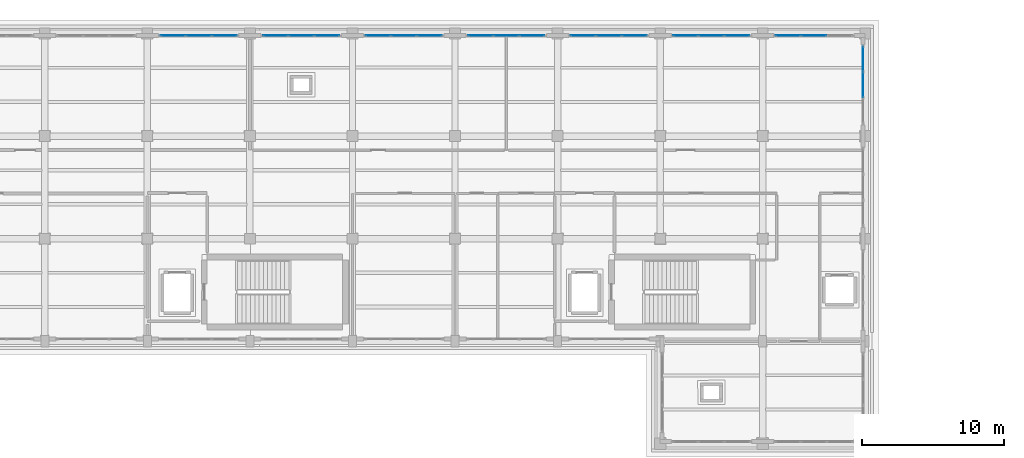
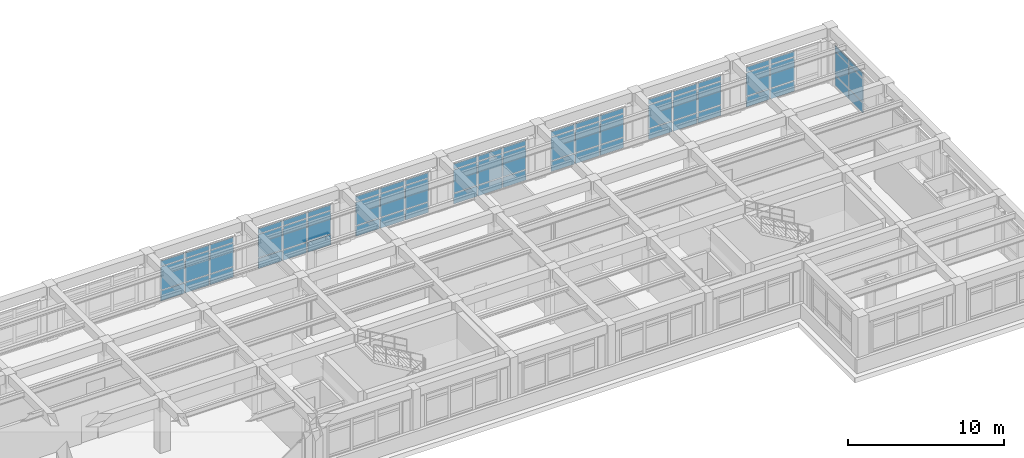
# One storey, part 45 of 67: 66 plates, 8 elements without a shape of their own.
"""IFC4 building model written with IfcOpenShell, lengths in metres."""

import ifcopenshell
import ifcopenshell.guid

model = None  # the IFC model being written
_history = None  # IfcOwnerHistory: only IFC2X3 demands one
_inside = {}  # id of a spatial element -> (the spatial element, [elements in it])
_under = {}  # id of a project, library or spatial element -> (it, [spatial elements below it])
_declared = {}  # id of a project -> (the project, [libraries it declares])
_typed = {}  # id of a type object -> (the type object, [elements of that type])
_made_of = {}  # id of a material, layer set ... -> (it, [elements and type objects made of it])


def new_model(schema):
    """Start an empty IFC model of exactly this schema.

    Asked for "IFC4X3", IfcOpenShell would pick the latest addendum, in which some entities
    have other attributes; the version numbers below select the first issue.
    IFC2X3 requires an IfcOwnerHistory on every rooted entity: one is made here for all.
    """
    global model, _history
    if schema == "IFC4X3":
        model = ifcopenshell.file(schema_version=(4, 3, 0, 0))
    else:
        model = ifcopenshell.file(schema=schema)
    _inside.clear()
    _under.clear()
    _declared.clear()
    _typed.clear()
    _made_of.clear()
    _history = None
    if model.schema == "IFC2X3":
        org = make("IfcOrganization", Name="unknown")
        user = make(
            "IfcPersonAndOrganization",
            ThePerson=make("IfcPerson", FamilyName="unknown"),
            TheOrganization=org,
        )
        app = make(
            "IfcApplication",
            ApplicationDeveloper=org,
            Version="unknown",
            ApplicationFullName="unknown",
            ApplicationIdentifier="unknown",
        )
        _history = make(
            "IfcOwnerHistory",
            OwningUser=user,
            OwningApplication=app,
            ChangeAction="ADDED",
            CreationDate=0,
        )
    return model


def make(cls, **values):
    """One entity of the class cls with the attributes given. An attribute that is None is left unset."""
    return model.create_entity(
        cls, **{name: value for name, value in values.items() if value is not None}
    )


def rooted(cls, **values):
    """An entity with a GlobalId (a new one), such as an element, a storey or a relation."""
    return make(cls, GlobalId=ifcopenshell.guid.new(), OwnerHistory=_history, **values)


def si_unit(unit_type, name, prefix=None):
    """IfcSIUnit, for example si_unit("LENGTHUNIT", "METRE", prefix="MILLI")."""
    return make("IfcSIUnit", UnitType=unit_type, Prefix=prefix, Name=name)


def assignment(units):
    """IfcUnitAssignment: the units of a project."""
    return None if units is None else make("IfcUnitAssignment", Units=units)


def point(xyz):
    """IfcCartesianPoint."""
    return None if xyz is None else make("IfcCartesianPoint", Coordinates=xyz)


def direction(xyz):
    """IfcDirection."""
    return None if xyz is None else make("IfcDirection", DirectionRatios=xyz)


def frame(location, z_axis=None, x_axis=None):
    """IfcAxis2Placement3D, a coordinate frame: its origin and axes. An axis left out is left unset."""
    return make(
        "IfcAxis2Placement3D",
        Location=point(location),
        Axis=direction(z_axis),
        RefDirection=direction(x_axis),
    )


def frame_2d(location, x_axis=None):
    """IfcAxis2Placement2D, a coordinate frame in the plane: its origin and x axis."""
    return make(
        "IfcAxis2Placement2D", Location=point(location), RefDirection=direction(x_axis)
    )


def origin():
    """The frame at (0, 0, 0) with its axes left unset."""
    return frame((0.0, 0.0, 0.0))


def origin_2d():
    """The frame at (0, 0) in the plane with its x axis left unset."""
    return frame_2d((0.0, 0.0))


def place(relative_to, where):
    """IfcLocalPlacement: puts the frame where relative to a parent placement (None: the world)."""
    return make(
        "IfcLocalPlacement", PlacementRelTo=relative_to, RelativePlacement=where
    )


def context(
    kind, dimensions, precision=None, world=None, true_north=None, identifier=None
):
    """IfcGeometricRepresentationContext, for example the 3D "Model" context."""
    return make(
        "IfcGeometricRepresentationContext",
        ContextIdentifier=identifier,
        ContextType=kind,
        CoordinateSpaceDimension=dimensions,
        Precision=precision,
        WorldCoordinateSystem=world,
        TrueNorth=true_north,
    )


def subcontext(parent, identifier, kind, view, scale=None):
    """IfcGeometricRepresentationSubContext, for example "Body" below "Model"."""
    return make(
        "IfcGeometricRepresentationSubContext",
        ContextIdentifier=identifier,
        ContextType=kind,
        ParentContext=parent,
        TargetScale=scale,
        TargetView=view,
    )


def project(units=None, contexts=None):
    """IfcProject with its units and contexts."""
    return rooted(
        "IfcProject",
        Name="project",
        RepresentationContexts=contexts,
        UnitsInContext=assignment(units),
    )


def spatial(cls, under=None, at=None, **own):
    """A site, building, storey or space (cls), placed at a placement, below another one or the project."""
    s = rooted(cls, ObjectPlacement=at, **own)
    if under is not None:
        _under.setdefault(under.id(), (under, []))[1].append(s)
    return s


def profile(cls, at=None, kind="AREA", **sizes):
    """A parametric profile (cls). Its sizes go by their IFC names, for example OverallWidth=200.0."""
    return make(cls, ProfileType=kind, Position=at, **sizes)


def rectangle(**sizes):
    """IfcRectangleProfileDef."""
    return profile("IfcRectangleProfileDef", **sizes)


def extrude(swept, where, along, depth):
    """IfcExtrudedAreaSolid: the profile swept, set in the frame where, extruded along a direction by depth."""
    return make(
        "IfcExtrudedAreaSolid",
        SweptArea=swept,
        Position=where,
        ExtrudedDirection=direction(along),
        Depth=depth,
    )


def shape(context_of_items, identifier, shape_type, items):
    """IfcShapeRepresentation: the items that make up one representation, for example the "Body"."""
    return make(
        "IfcShapeRepresentation",
        ContextOfItems=context_of_items,
        RepresentationIdentifier=identifier,
        RepresentationType=shape_type,
        Items=items,
    )


def material(Name=None, Category=None):
    """IfcMaterial."""
    return make("IfcMaterial", Name=Name, Category=Category)


def layer(
    of_material, thickness, ventilated=None, Name=None, Category=None, Priority=None
):
    """IfcMaterialLayer: one layer of a wall or slab, of a material (None: an air gap)."""
    return make(
        "IfcMaterialLayer",
        Material=of_material,
        LayerThickness=thickness,
        IsVentilated=ventilated,
        Name=Name,
        Category=Category,
        Priority=Priority,
    )


def layer_set(layers, Name=None):
    """IfcMaterialLayerSet."""
    return make("IfcMaterialLayerSet", MaterialLayers=layers, LayerSetName=Name)


def made_of(thing, what):
    """Note that an element or type object is made of a material, layer set ...; save() writes the relation."""
    if what is not None:
        _made_of.setdefault(what.id(), (what, []))[1].append(thing)
    return thing


def type_object(cls, material=None, **own):
    """A type object (cls), such as IfcWallType, which elements share."""
    return made_of(rooted(cls, **own), material)


def element(
    cls,
    number,
    at=None,
    inside=None,
    cuts=None,
    type_object=None,
    material=None,
    context=None,
    identifier="Body",
    shape_type=None,
    held_by="IfcProductDefinitionShape",
    body=None,
    shapes=None,
    **own,
):
    """One element of the class cls, such as IfcWall. Its Tag is "e" and its number.

    at: its placement. inside: the storey or other place that contains it. cuts: it is an
    opening in that element (IfcRelVoidsElement). A single representation is given by context,
    identifier, shape_type and body (its items); several are given by shapes. held_by: the class
    of the entity that holds the representations. save() writes the other relations.
    """
    e = rooted(cls, Tag="e%d" % number, ObjectPlacement=at, **own)
    if body is not None:
        shapes = [shape(context, identifier, shape_type, body)]
    if shapes is not None:
        e.Representation = make(held_by, Representations=shapes)
    if inside is not None:
        _inside.setdefault(inside.id(), (inside, []))[1].append(e)
    if cuts is not None:
        rooted(
            "IfcRelVoidsElement", RelatingBuildingElement=cuts, RelatedOpeningElement=e
        )
    if type_object is not None:
        _typed.setdefault(type_object.id(), (type_object, []))[1].append(e)
    return made_of(e, material)


def aggregate(whole, parts):
    """IfcRelAggregates: a whole, such as a stair, and the parts it consists of."""
    return rooted("IfcRelAggregates", RelatingObject=whole, RelatedObjects=parts)


def save(model, path):
    """Write the relations noted so far, then the file.

    IfcRelAggregates (storeys below a building ...), IfcRelContainedInSpatialStructure (elements
    in a storey), IfcRelDefinesByType, IfcRelAssociatesMaterial and IfcRelDeclares: one each for
    every whole, place, type object, material and project.
    """
    for whole, parts in _under.values():
        aggregate(whole, parts)
    for where, things in _inside.values():
        rooted(
            "IfcRelContainedInSpatialStructure",
            RelatedElements=things,
            RelatingStructure=where,
        )
    for kind, things in _typed.values():
        rooted("IfcRelDefinesByType", RelatedObjects=things, RelatingType=kind)
    for what, things in _made_of.values():
        rooted("IfcRelAssociatesMaterial", RelatedObjects=things, RelatingMaterial=what)
    for by, libraries in _declared.values():
        rooted("IfcRelDeclares", RelatingContext=by, RelatedDefinitions=libraries)
    model.write(path)


model = new_model("IFC4")

# Units and contexts
model_context = context("Model", 3, precision=1e-05, world=origin(), true_north=direction((0.0, 1.0)))
body_context = subcontext(model_context, "Body", "Model", "MODEL_VIEW")
ifc_project = project(units=[si_unit("LENGTHUNIT", "METRE"), si_unit("AREAUNIT", "SQUARE_METRE"), si_unit("VOLUMEUNIT", "CUBIC_METRE"), si_unit("PLANEANGLEUNIT", "RADIAN"), si_unit("MASSUNIT", "GRAM", prefix="KILO")], contexts=[model_context])

# Site, building, storey
site_placement = place(None, origin())
site = spatial("IfcSite", under=ifc_project, at=site_placement, CompositionType="ELEMENT")
building_placement = place(site_placement, origin())
building = spatial("IfcBuilding", under=site, at=building_placement, Name="Solenvale Faculty of Natural Sciences", CompositionType="ELEMENT")
storey_placement = place(building_placement, frame((0.0, 0.0, 13.5)))
storey = spatial("IfcBuildingStorey", under=building, at=storey_placement, Name="L03", CompositionType="ELEMENT", Elevation=13.5)

# Curtain wall, plates
ifc_material_1 = material(Name="Anodised bronze aluminium", Category="aluminium")
ifc_layer_1 = layer(ifc_material_1, 0.179931640625)
ifc_layer_set_1 = layer_set([ifc_layer_1], Name="Anodised bronze aluminium")
curtain_wall_type = type_object("IfcCurtainWallType", Name="CW-TWR-MOD", PredefinedType="USERDEFINED", material=ifc_layer_set_1)
curtain_wall_1_placement = place(storey_placement, origin())
curtain_wall_1 = element("IfcCurtainWall", 1, at=curtain_wall_1_placement, inside=storey, type_object=curtain_wall_type, Name="L03 Curtain Wall CW-L03-P3-E4-B1", ObjectType="UNITISED CURTAIN WALL", PredefinedType="USERDEFINED")
ifc_material_2 = material(Name="Triple low-E insulated glass", Category="glass")
ifc_layer_2 = layer(ifc_material_2, 0.031982421875)
ifc_layer_set_2 = layer_set([ifc_layer_2], Name="Triple low-E insulated glass")
plate_type_1 = type_object("IfcPlateType", Name="CWP-PNL-32", PredefinedType="CURTAIN_PANEL", material=ifc_layer_set_2)
plate_1_placement = place(storey_placement, frame((147.60009765625, 115.0576171875, 0.074951171875), z_axis=(0.0, 0.0, 1.0), x_axis=(-1.0, 0.0, 0.0)))
plate_1 = element("IfcPlate", 2, at=plate_1_placement, type_object=plate_type_1, Name="CW-04 panel 2.1", PredefinedType="CURTAIN_PANEL", context=body_context, shape_type="SweptSolid", body=[
    extrude(rectangle(XDim=1.75830078125, YDim=0.031982421875, at=origin_2d()), origin(), (0.0, 0.0, 1.0), 0.78759765625),
])
plate_2_placement = place(storey_placement, frame((147.60009765625, 115.0576171875, 0.9375), z_axis=(0.0, 0.0, 1.0), x_axis=(-1.0, 0.0, 0.0)))
plate_2 = element("IfcPlate", 3, at=plate_2_placement, type_object=plate_type_1, Name="CW-04 panel 2.2", PredefinedType="CURTAIN_PANEL", context=body_context, shape_type="SweptSolid", body=[
    extrude(rectangle(XDim=1.75830078125, YDim=0.031982421875, at=origin_2d()), origin(), (0.0, 0.0, 1.0), 1.784912109375),
])
plate_3_placement = place(storey_placement, frame((147.60009765625, 115.0576171875, 2.79736328125), z_axis=(0.0, 0.0, 1.0), x_axis=(-1.0, 0.0, 0.0)))
plate_3 = element("IfcPlate", 4, at=plate_3_placement, type_object=plate_type_1, Name="CW-04 panel 2.3", PredefinedType="CURTAIN_PANEL", context=body_context, shape_type="SweptSolid", body=[
    extrude(rectangle(XDim=1.75830078125, YDim=0.031982421875, at=origin_2d()), origin(), (0.0, 0.0, 1.0), 0.387451171875),
])
plate_4_placement = place(storey_placement, frame((145.785400390625, 115.0576171875, 0.074951171875), z_axis=(0.0, 0.0, 1.0), x_axis=(-1.0, 0.0, 0.0)))
plate_4 = element("IfcPlate", 5, at=plate_4_placement, type_object=plate_type_1, Name="CW-04 panel 3.1", PredefinedType="CURTAIN_PANEL", context=body_context, shape_type="SweptSolid", body=[
    extrude(rectangle(XDim=1.720947265625, YDim=0.031982421875, at=origin_2d()), origin(), (0.0, 0.0, 1.0), 0.78759765625),
])
plate_5_placement = place(storey_placement, frame((145.785400390625, 115.0576171875, 0.9375), z_axis=(0.0, 0.0, 1.0), x_axis=(-1.0, 0.0, 0.0)))
plate_5 = element("IfcPlate", 6, at=plate_5_placement, type_object=plate_type_1, Name="CW-04 panel 3.2", PredefinedType="CURTAIN_PANEL", context=body_context, shape_type="SweptSolid", body=[
    extrude(rectangle(XDim=1.720947265625, YDim=0.031982421875, at=origin_2d()), origin(), (0.0, 0.0, 1.0), 1.784912109375),
])
plate_6_placement = place(storey_placement, frame((145.785400390625, 115.0576171875, 2.79736328125), z_axis=(0.0, 0.0, 1.0), x_axis=(-1.0, 0.0, 0.0)))
plate_6 = element("IfcPlate", 7, at=plate_6_placement, type_object=plate_type_1, Name="CW-04 panel 3.3", PredefinedType="CURTAIN_PANEL", context=body_context, shape_type="SweptSolid", body=[
    extrude(rectangle(XDim=1.720947265625, YDim=0.031982421875, at=origin_2d()), origin(), (0.0, 0.0, 1.0), 0.387451171875),
])
aggregate(curtain_wall_1, [plate_1, plate_2, plate_3, plate_4, plate_5, plate_6])

curtain_wall_2_placement = place(storey_placement, origin())
curtain_wall_2 = element("IfcCurtainWall", 8, at=curtain_wall_2_placement, inside=storey, type_object=curtain_wall_type, Name="L03 Curtain Wall CW-L03-P3-E3-B3", ObjectType="UNITISED CURTAIN WALL", PredefinedType="USERDEFINED")
ifc_layer_3 = layer(ifc_material_2, 0.035888671875)
ifc_layer_set_3 = layer_set([ifc_layer_3], Name="Triple low-E insulated glass")
plate_type_2 = type_object("IfcPlateType", Name="CWP-PNL-36", PredefinedType="CURTAIN_PANEL", material=ifc_layer_set_3)
plate_7_placement = place(storey_placement, frame((151.0576171875, 111.60009765625, 0.074951171875), z_axis=(0.0, 0.0, 1.0), x_axis=(0.0, 1.0, 0.0)))
plate_7 = element("IfcPlate", 9, at=plate_7_placement, type_object=plate_type_2, Name="CW-04 panel 2.1", PredefinedType="CURTAIN_PANEL", context=body_context, shape_type="SweptSolid", body=[
    extrude(rectangle(XDim=1.75830078125, YDim=0.035888671875, at=origin_2d()), origin(), (0.0, 0.0, 1.0), 0.78759765625),
])
plate_8_placement = place(storey_placement, frame((151.0576171875, 111.60009765625, 0.9375), z_axis=(0.0, 0.0, 1.0), x_axis=(0.0, 1.0, 0.0)))
plate_8 = element("IfcPlate", 10, at=plate_8_placement, type_object=plate_type_2, Name="CW-04 panel 2.2", PredefinedType="CURTAIN_PANEL", context=body_context, shape_type="SweptSolid", body=[
    extrude(rectangle(XDim=1.75830078125, YDim=0.035888671875, at=origin_2d()), origin(), (0.0, 0.0, 1.0), 1.784912109375),
])
plate_9_placement = place(storey_placement, frame((151.0576171875, 111.60009765625, 2.79736328125), z_axis=(0.0, 0.0, 1.0), x_axis=(0.0, 1.0, 0.0)))
plate_9 = element("IfcPlate", 11, at=plate_9_placement, type_object=plate_type_2, Name="CW-04 panel 2.3", PredefinedType="CURTAIN_PANEL", context=body_context, shape_type="SweptSolid", body=[
    extrude(rectangle(XDim=1.75830078125, YDim=0.035888671875, at=origin_2d()), origin(), (0.0, 0.0, 1.0), 0.387451171875),
])
plate_10_placement = place(storey_placement, frame((151.0576171875, 113.41455078125, 0.074951171875), z_axis=(0.0, 0.0, 1.0), x_axis=(0.0, 1.0, 0.0)))
plate_10 = element("IfcPlate", 12, at=plate_10_placement, type_object=plate_type_2, Name="CW-04 panel 3.1", PredefinedType="CURTAIN_PANEL", context=body_context, shape_type="SweptSolid", body=[
    extrude(rectangle(XDim=1.720947265625, YDim=0.035888671875, at=origin_2d()), origin(), (0.0, 0.0, 1.0), 0.78759765625),
])
plate_11_placement = place(storey_placement, frame((151.0576171875, 113.41455078125, 0.9375), z_axis=(0.0, 0.0, 1.0), x_axis=(0.0, 1.0, 0.0)))
plate_11 = element("IfcPlate", 13, at=plate_11_placement, type_object=plate_type_2, Name="CW-04 panel 3.2", PredefinedType="CURTAIN_PANEL", context=body_context, shape_type="SweptSolid", body=[
    extrude(rectangle(XDim=1.720947265625, YDim=0.035888671875, at=origin_2d()), origin(), (0.0, 0.0, 1.0), 1.784912109375),
])
plate_12_placement = place(storey_placement, frame((151.0576171875, 113.41455078125, 2.79736328125), z_axis=(0.0, 0.0, 1.0), x_axis=(0.0, 1.0, 0.0)))
plate_12 = element("IfcPlate", 14, at=plate_12_placement, type_object=plate_type_2, Name="CW-04 panel 3.3", PredefinedType="CURTAIN_PANEL", context=body_context, shape_type="SweptSolid", body=[
    extrude(rectangle(XDim=1.720947265625, YDim=0.035888671875, at=origin_2d()), origin(), (0.0, 0.0, 1.0), 0.387451171875),
])
aggregate(curtain_wall_2, [plate_7, plate_8, plate_9, plate_10, plate_11, plate_12])

curtain_wall_3_placement = place(storey_placement, origin())
curtain_wall_3 = element("IfcCurtainWall", 15, at=curtain_wall_3_placement, inside=storey, type_object=curtain_wall_type, Name="L03 Curtain Wall CW-L03-P3-E4-B2", ObjectType="UNITISED CURTAIN WALL", PredefinedType="USERDEFINED")
plate_13_placement = place(storey_placement, frame((142.214599609375, 115.0576171875, 0.074951171875), z_axis=(0.0, 0.0, 1.0), x_axis=(-1.0, 0.0, 0.0)))
plate_13 = element("IfcPlate", 16, at=plate_13_placement, type_object=plate_type_2, Name="CW-04 panel 1.1", PredefinedType="CURTAIN_PANEL", context=body_context, shape_type="SweptSolid", body=[
    extrude(rectangle(XDim=1.720947265625, YDim=0.035888671875, at=origin_2d()), origin(), (0.0, 0.0, 1.0), 0.78759765625),
])
plate_14_placement = place(storey_placement, frame((142.214599609375, 115.0576171875, 0.9375), z_axis=(0.0, 0.0, 1.0), x_axis=(-1.0, 0.0, 0.0)))
plate_14 = element("IfcPlate", 17, at=plate_14_placement, type_object=plate_type_2, Name="CW-04 panel 1.2", PredefinedType="CURTAIN_PANEL", context=body_context, shape_type="SweptSolid", body=[
    extrude(rectangle(XDim=1.720947265625, YDim=0.035888671875, at=origin_2d()), origin(), (0.0, 0.0, 1.0), 1.784912109375),
])
plate_15_placement = place(storey_placement, frame((142.214599609375, 115.0576171875, 2.79736328125), z_axis=(0.0, 0.0, 1.0), x_axis=(-1.0, 0.0, 0.0)))
plate_15 = element("IfcPlate", 18, at=plate_15_placement, type_object=plate_type_2, Name="CW-04 panel 1.3", PredefinedType="CURTAIN_PANEL", context=body_context, shape_type="SweptSolid", body=[
    extrude(rectangle(XDim=1.720947265625, YDim=0.035888671875, at=origin_2d()), origin(), (0.0, 0.0, 1.0), 0.387451171875),
])
plate_16_placement = place(storey_placement, frame((140.39990234375, 115.0576171875, 0.074951171875), z_axis=(0.0, 0.0, 1.0), x_axis=(-1.0, 0.0, 0.0)))
plate_16 = element("IfcPlate", 19, at=plate_16_placement, type_object=plate_type_2, Name="CW-04 panel 2.1", PredefinedType="CURTAIN_PANEL", context=body_context, shape_type="SweptSolid", body=[
    extrude(rectangle(XDim=1.75830078125, YDim=0.035888671875, at=origin_2d()), origin(), (0.0, 0.0, 1.0), 0.78759765625),
])
plate_17_placement = place(storey_placement, frame((140.39990234375, 115.0576171875, 0.9375), z_axis=(0.0, 0.0, 1.0), x_axis=(-1.0, 0.0, 0.0)))
plate_17 = element("IfcPlate", 20, at=plate_17_placement, type_object=plate_type_2, Name="CW-04 panel 2.2", PredefinedType="CURTAIN_PANEL", context=body_context, shape_type="SweptSolid", body=[
    extrude(rectangle(XDim=1.75830078125, YDim=0.035888671875, at=origin_2d()), origin(), (0.0, 0.0, 1.0), 1.784912109375),
])
plate_18_placement = place(storey_placement, frame((140.39990234375, 115.0576171875, 2.79736328125), z_axis=(0.0, 0.0, 1.0), x_axis=(-1.0, 0.0, 0.0)))
plate_18 = element("IfcPlate", 21, at=plate_18_placement, type_object=plate_type_2, Name="CW-04 panel 2.3", PredefinedType="CURTAIN_PANEL", context=body_context, shape_type="SweptSolid", body=[
    extrude(rectangle(XDim=1.75830078125, YDim=0.035888671875, at=origin_2d()), origin(), (0.0, 0.0, 1.0), 0.387451171875),
])
plate_19_placement = place(storey_placement, frame((138.58544921875, 115.0576171875, 0.074951171875), z_axis=(0.0, 0.0, 1.0), x_axis=(-1.0, 0.0, 0.0)))
plate_19 = element("IfcPlate", 22, at=plate_19_placement, type_object=plate_type_2, Name="CW-04 panel 3.1", PredefinedType="CURTAIN_PANEL", context=body_context, shape_type="SweptSolid", body=[
    extrude(rectangle(XDim=1.720947265625, YDim=0.035888671875, at=origin_2d()), origin(), (0.0, 0.0, 1.0), 0.78759765625),
])
plate_20_placement = place(storey_placement, frame((138.58544921875, 115.0576171875, 0.9375), z_axis=(0.0, 0.0, 1.0), x_axis=(-1.0, 0.0, 0.0)))
plate_20 = element("IfcPlate", 23, at=plate_20_placement, type_object=plate_type_2, Name="CW-04 panel 3.2", PredefinedType="CURTAIN_PANEL", context=body_context, shape_type="SweptSolid", body=[
    extrude(rectangle(XDim=1.720947265625, YDim=0.035888671875, at=origin_2d()), origin(), (0.0, 0.0, 1.0), 1.784912109375),
])
plate_21_placement = place(storey_placement, frame((138.58544921875, 115.0576171875, 2.79736328125), z_axis=(0.0, 0.0, 1.0), x_axis=(-1.0, 0.0, 0.0)))
plate_21 = element("IfcPlate", 24, at=plate_21_placement, type_object=plate_type_2, Name="CW-04 panel 3.3", PredefinedType="CURTAIN_PANEL", context=body_context, shape_type="SweptSolid", body=[
    extrude(rectangle(XDim=1.720947265625, YDim=0.035888671875, at=origin_2d()), origin(), (0.0, 0.0, 1.0), 0.387451171875),
])
aggregate(curtain_wall_3, [plate_13, plate_14, plate_15, plate_16, plate_17, plate_18, plate_19, plate_20, plate_21])

curtain_wall_4_placement = place(storey_placement, origin())
curtain_wall_4 = element("IfcCurtainWall", 25, at=curtain_wall_4_placement, inside=storey, type_object=curtain_wall_type, Name="L03 Curtain Wall CW-L03-P3-E4-B3", ObjectType="UNITISED CURTAIN WALL", PredefinedType="USERDEFINED")
ifc_layer_4 = layer(ifc_material_2, 0.0400390625)
ifc_layer_set_4 = layer_set([ifc_layer_4], Name="Triple low-E insulated glass")
plate_type_3 = type_object("IfcPlateType", Name="CWP-PNL-40", PredefinedType="CURTAIN_PANEL", material=ifc_layer_set_4)
plate_22_placement = place(storey_placement, frame((135.0146484375, 115.0576171875, 0.074951171875), z_axis=(0.0, 0.0, 1.0), x_axis=(-1.0, 0.0, 0.0)))
plate_22 = element("IfcPlate", 26, at=plate_22_placement, type_object=plate_type_3, Name="CW-04 panel 1.1", PredefinedType="CURTAIN_PANEL", context=body_context, shape_type="SweptSolid", body=[
    extrude(rectangle(XDim=1.720947265625, YDim=0.0400390625, at=origin_2d()), origin(), (0.0, 0.0, 1.0), 0.78759765625),
])
plate_23_placement = place(storey_placement, frame((135.0146484375, 115.0576171875, 0.9375), z_axis=(0.0, 0.0, 1.0), x_axis=(-1.0, 0.0, 0.0)))
plate_23 = element("IfcPlate", 27, at=plate_23_placement, type_object=plate_type_3, Name="CW-04 panel 1.2", PredefinedType="CURTAIN_PANEL", context=body_context, shape_type="SweptSolid", body=[
    extrude(rectangle(XDim=1.720947265625, YDim=0.0400390625, at=origin_2d()), origin(), (0.0, 0.0, 1.0), 1.784912109375),
])
plate_24_placement = place(storey_placement, frame((135.0146484375, 115.0576171875, 2.79736328125), z_axis=(0.0, 0.0, 1.0), x_axis=(-1.0, 0.0, 0.0)))
plate_24 = element("IfcPlate", 28, at=plate_24_placement, type_object=plate_type_3, Name="CW-04 panel 1.3", PredefinedType="CURTAIN_PANEL", context=body_context, shape_type="SweptSolid", body=[
    extrude(rectangle(XDim=1.720947265625, YDim=0.0400390625, at=origin_2d()), origin(), (0.0, 0.0, 1.0), 0.387451171875),
])
plate_25_placement = place(storey_placement, frame((133.199951171875, 115.0576171875, 0.074951171875), z_axis=(0.0, 0.0, 1.0), x_axis=(-1.0, 0.0, 0.0)))
plate_25 = element("IfcPlate", 29, at=plate_25_placement, type_object=plate_type_3, Name="CW-04 panel 2.1", PredefinedType="CURTAIN_PANEL", context=body_context, shape_type="SweptSolid", body=[
    extrude(rectangle(XDim=1.75830078125, YDim=0.0400390625, at=origin_2d()), origin(), (0.0, 0.0, 1.0), 0.78759765625),
])
plate_26_placement = place(storey_placement, frame((133.199951171875, 115.0576171875, 0.9375), z_axis=(0.0, 0.0, 1.0), x_axis=(-1.0, 0.0, 0.0)))
plate_26 = element("IfcPlate", 30, at=plate_26_placement, type_object=plate_type_3, Name="CW-04 panel 2.2", PredefinedType="CURTAIN_PANEL", context=body_context, shape_type="SweptSolid", body=[
    extrude(rectangle(XDim=1.75830078125, YDim=0.0400390625, at=origin_2d()), origin(), (0.0, 0.0, 1.0), 1.784912109375),
])
plate_27_placement = place(storey_placement, frame((133.199951171875, 115.0576171875, 2.79736328125), z_axis=(0.0, 0.0, 1.0), x_axis=(-1.0, 0.0, 0.0)))
plate_27 = element("IfcPlate", 31, at=plate_27_placement, type_object=plate_type_3, Name="CW-04 panel 2.3", PredefinedType="CURTAIN_PANEL", context=body_context, shape_type="SweptSolid", body=[
    extrude(rectangle(XDim=1.75830078125, YDim=0.0400390625, at=origin_2d()), origin(), (0.0, 0.0, 1.0), 0.387451171875),
])
plate_28_placement = place(storey_placement, frame((131.385498046875, 115.0576171875, 0.074951171875), z_axis=(0.0, 0.0, 1.0), x_axis=(-1.0, 0.0, 0.0)))
plate_28 = element("IfcPlate", 32, at=plate_28_placement, type_object=plate_type_3, Name="CW-04 panel 3.1", PredefinedType="CURTAIN_PANEL", context=body_context, shape_type="SweptSolid", body=[
    extrude(rectangle(XDim=1.720947265625, YDim=0.0400390625, at=origin_2d()), origin(), (0.0, 0.0, 1.0), 0.78759765625),
])
plate_29_placement = place(storey_placement, frame((131.385498046875, 115.0576171875, 0.9375), z_axis=(0.0, 0.0, 1.0), x_axis=(-1.0, 0.0, 0.0)))
plate_29 = element("IfcPlate", 33, at=plate_29_placement, type_object=plate_type_3, Name="CW-04 panel 3.2", PredefinedType="CURTAIN_PANEL", context=body_context, shape_type="SweptSolid", body=[
    extrude(rectangle(XDim=1.720947265625, YDim=0.0400390625, at=origin_2d()), origin(), (0.0, 0.0, 1.0), 1.784912109375),
])
plate_30_placement = place(storey_placement, frame((131.385498046875, 115.0576171875, 2.79736328125), z_axis=(0.0, 0.0, 1.0), x_axis=(-1.0, 0.0, 0.0)))
plate_30 = element("IfcPlate", 34, at=plate_30_placement, type_object=plate_type_3, Name="CW-04 panel 3.3", PredefinedType="CURTAIN_PANEL", context=body_context, shape_type="SweptSolid", body=[
    extrude(rectangle(XDim=1.720947265625, YDim=0.0400390625, at=origin_2d()), origin(), (0.0, 0.0, 1.0), 0.387451171875),
])
aggregate(curtain_wall_4, [plate_22, plate_23, plate_24, plate_25, plate_26, plate_27, plate_28, plate_29, plate_30])

curtain_wall_5_placement = place(storey_placement, origin())
curtain_wall_5 = element("IfcCurtainWall", 35, at=curtain_wall_5_placement, inside=storey, type_object=curtain_wall_type, Name="L03 Curtain Wall CW-L03-P3-E4-B4", ObjectType="UNITISED CURTAIN WALL", PredefinedType="USERDEFINED")
ifc_layer_5 = layer(ifc_material_2, 0.0439453125)
ifc_layer_set_5 = layer_set([ifc_layer_5], Name="Triple low-E insulated glass")
plate_type_4 = type_object("IfcPlateType", Name="CWP-PNL-44", PredefinedType="CURTAIN_PANEL", material=ifc_layer_set_5)
plate_31_placement = place(storey_placement, frame((127.814697265625, 115.0576171875, 0.074951171875), z_axis=(0.0, 0.0, 1.0), x_axis=(-1.0, 0.0, 0.0)))
plate_31 = element("IfcPlate", 36, at=plate_31_placement, type_object=plate_type_4, Name="CW-04 panel 1.1", PredefinedType="CURTAIN_PANEL", context=body_context, shape_type="SweptSolid", body=[
    extrude(rectangle(XDim=1.720947265625, YDim=0.0439453125, at=origin_2d()), origin(), (0.0, 0.0, 1.0), 0.78759765625),
])
plate_32_placement = place(storey_placement, frame((127.814697265625, 115.0576171875, 0.9375), z_axis=(0.0, 0.0, 1.0), x_axis=(-1.0, 0.0, 0.0)))
plate_32 = element("IfcPlate", 37, at=plate_32_placement, type_object=plate_type_4, Name="CW-04 panel 1.2", PredefinedType="CURTAIN_PANEL", context=body_context, shape_type="SweptSolid", body=[
    extrude(rectangle(XDim=1.720947265625, YDim=0.0439453125, at=origin_2d()), origin(), (0.0, 0.0, 1.0), 1.784912109375),
])
plate_33_placement = place(storey_placement, frame((127.814697265625, 115.0576171875, 2.79736328125), z_axis=(0.0, 0.0, 1.0), x_axis=(-1.0, 0.0, 0.0)))
plate_33 = element("IfcPlate", 38, at=plate_33_placement, type_object=plate_type_4, Name="CW-04 panel 1.3", PredefinedType="CURTAIN_PANEL", context=body_context, shape_type="SweptSolid", body=[
    extrude(rectangle(XDim=1.720947265625, YDim=0.0439453125, at=origin_2d()), origin(), (0.0, 0.0, 1.0), 0.387451171875),
])
plate_34_placement = place(storey_placement, frame((126.0, 115.0576171875, 0.074951171875), z_axis=(0.0, 0.0, 1.0), x_axis=(-1.0, 0.0, 0.0)))
plate_34 = element("IfcPlate", 39, at=plate_34_placement, type_object=plate_type_4, Name="CW-04 panel 2.1", PredefinedType="CURTAIN_PANEL", context=body_context, shape_type="SweptSolid", body=[
    extrude(rectangle(XDim=1.75830078125, YDim=0.0439453125, at=origin_2d()), origin(), (0.0, 0.0, 1.0), 0.78759765625),
])
plate_35_placement = place(storey_placement, frame((126.0, 115.0576171875, 0.9375), z_axis=(0.0, 0.0, 1.0), x_axis=(-1.0, 0.0, 0.0)))
plate_35 = element("IfcPlate", 40, at=plate_35_placement, type_object=plate_type_4, Name="CW-04 panel 2.2", PredefinedType="CURTAIN_PANEL", context=body_context, shape_type="SweptSolid", body=[
    extrude(rectangle(XDim=1.75830078125, YDim=0.0439453125, at=origin_2d()), origin(), (0.0, 0.0, 1.0), 1.784912109375),
])
plate_36_placement = place(storey_placement, frame((126.0, 115.0576171875, 2.79736328125), z_axis=(0.0, 0.0, 1.0), x_axis=(-1.0, 0.0, 0.0)))
plate_36 = element("IfcPlate", 41, at=plate_36_placement, type_object=plate_type_4, Name="CW-04 panel 2.3", PredefinedType="CURTAIN_PANEL", context=body_context, shape_type="SweptSolid", body=[
    extrude(rectangle(XDim=1.75830078125, YDim=0.0439453125, at=origin_2d()), origin(), (0.0, 0.0, 1.0), 0.387451171875),
])
plate_37_placement = place(storey_placement, frame((124.185302734375, 115.0576171875, 0.074951171875), z_axis=(0.0, 0.0, 1.0), x_axis=(-1.0, 0.0, 0.0)))
plate_37 = element("IfcPlate", 42, at=plate_37_placement, type_object=plate_type_4, Name="CW-04 panel 3.1", PredefinedType="CURTAIN_PANEL", context=body_context, shape_type="SweptSolid", body=[
    extrude(rectangle(XDim=1.720947265625, YDim=0.0439453125, at=origin_2d()), origin(), (0.0, 0.0, 1.0), 0.78759765625),
])
plate_38_placement = place(storey_placement, frame((124.185302734375, 115.0576171875, 0.9375), z_axis=(0.0, 0.0, 1.0), x_axis=(-1.0, 0.0, 0.0)))
plate_38 = element("IfcPlate", 43, at=plate_38_placement, type_object=plate_type_4, Name="CW-04 panel 3.2", PredefinedType="CURTAIN_PANEL", context=body_context, shape_type="SweptSolid", body=[
    extrude(rectangle(XDim=1.720947265625, YDim=0.0439453125, at=origin_2d()), origin(), (0.0, 0.0, 1.0), 1.784912109375),
])
plate_39_placement = place(storey_placement, frame((124.185302734375, 115.0576171875, 2.79736328125), z_axis=(0.0, 0.0, 1.0), x_axis=(-1.0, 0.0, 0.0)))
plate_39 = element("IfcPlate", 44, at=plate_39_placement, type_object=plate_type_4, Name="CW-04 panel 3.3", PredefinedType="CURTAIN_PANEL", context=body_context, shape_type="SweptSolid", body=[
    extrude(rectangle(XDim=1.720947265625, YDim=0.0439453125, at=origin_2d()), origin(), (0.0, 0.0, 1.0), 0.387451171875),
])
aggregate(curtain_wall_5, [plate_31, plate_32, plate_33, plate_34, plate_35, plate_36, plate_37, plate_38, plate_39])

curtain_wall_6_placement = place(storey_placement, origin())
curtain_wall_6 = element("IfcCurtainWall", 45, at=curtain_wall_6_placement, inside=storey, type_object=curtain_wall_type, Name="L03 Curtain Wall CW-L03-P3-E4-B5", ObjectType="UNITISED CURTAIN WALL", PredefinedType="USERDEFINED")
ifc_layer_6 = layer(ifc_material_1, 0.048095703125)
ifc_layer_set_6 = layer_set([ifc_layer_6], Name="Anodised bronze aluminium")
plate_type_5 = type_object("IfcPlateType", Name="CWP-PNL-48", PredefinedType="CURTAIN_PANEL", material=ifc_layer_set_6)
plate_40_placement = place(storey_placement, frame((120.614501953125, 115.0576171875, 0.074951171875), z_axis=(0.0, 0.0, 1.0), x_axis=(-1.0, 0.0, 0.0)))
plate_40 = element("IfcPlate", 46, at=plate_40_placement, type_object=plate_type_5, Name="CW-04 panel 1.1", PredefinedType="CURTAIN_PANEL", context=body_context, shape_type="SweptSolid", body=[
    extrude(rectangle(XDim=1.720947265625, YDim=0.048095703125, at=origin_2d()), origin(), (0.0, 0.0, 1.0), 0.78759765625),
])
plate_41_placement = place(storey_placement, frame((120.614501953125, 115.0576171875, 0.9375), z_axis=(0.0, 0.0, 1.0), x_axis=(-1.0, 0.0, 0.0)))
plate_41 = element("IfcPlate", 47, at=plate_41_placement, type_object=plate_type_5, Name="CW-04 panel 1.2", PredefinedType="CURTAIN_PANEL", context=body_context, shape_type="SweptSolid", body=[
    extrude(rectangle(XDim=1.720947265625, YDim=0.048095703125, at=origin_2d()), origin(), (0.0, 0.0, 1.0), 1.784912109375),
])
plate_42_placement = place(storey_placement, frame((120.614501953125, 115.0576171875, 2.79736328125), z_axis=(0.0, 0.0, 1.0), x_axis=(-1.0, 0.0, 0.0)))
plate_42 = element("IfcPlate", 48, at=plate_42_placement, type_object=plate_type_5, Name="CW-04 panel 1.3", PredefinedType="CURTAIN_PANEL", context=body_context, shape_type="SweptSolid", body=[
    extrude(rectangle(XDim=1.720947265625, YDim=0.048095703125, at=origin_2d()), origin(), (0.0, 0.0, 1.0), 0.387451171875),
])
plate_43_placement = place(storey_placement, frame((118.800048828125, 115.0576171875, 0.074951171875), z_axis=(0.0, 0.0, 1.0), x_axis=(-1.0, 0.0, 0.0)))
plate_43 = element("IfcPlate", 49, at=plate_43_placement, type_object=plate_type_5, Name="CW-04 panel 2.1", PredefinedType="CURTAIN_PANEL", context=body_context, shape_type="SweptSolid", body=[
    extrude(rectangle(XDim=1.75830078125, YDim=0.048095703125, at=origin_2d()), origin(), (0.0, 0.0, 1.0), 0.78759765625),
])
plate_44_placement = place(storey_placement, frame((118.800048828125, 115.0576171875, 0.9375), z_axis=(0.0, 0.0, 1.0), x_axis=(-1.0, 0.0, 0.0)))
plate_44 = element("IfcPlate", 50, at=plate_44_placement, type_object=plate_type_5, Name="CW-04 panel 2.2", PredefinedType="CURTAIN_PANEL", context=body_context, shape_type="SweptSolid", body=[
    extrude(rectangle(XDim=1.75830078125, YDim=0.048095703125, at=origin_2d()), origin(), (0.0, 0.0, 1.0), 1.784912109375),
])
plate_45_placement = place(storey_placement, frame((118.800048828125, 115.0576171875, 2.79736328125), z_axis=(0.0, 0.0, 1.0), x_axis=(-1.0, 0.0, 0.0)))
plate_45 = element("IfcPlate", 51, at=plate_45_placement, type_object=plate_type_5, Name="CW-04 panel 2.3", PredefinedType="CURTAIN_PANEL", context=body_context, shape_type="SweptSolid", body=[
    extrude(rectangle(XDim=1.75830078125, YDim=0.048095703125, at=origin_2d()), origin(), (0.0, 0.0, 1.0), 0.387451171875),
])
plate_46_placement = place(storey_placement, frame((116.9853515625, 115.0576171875, 0.074951171875), z_axis=(0.0, 0.0, 1.0), x_axis=(-1.0, 0.0, 0.0)))
plate_46 = element("IfcPlate", 52, at=plate_46_placement, type_object=plate_type_5, Name="CW-04 panel 3.1", PredefinedType="CURTAIN_PANEL", context=body_context, shape_type="SweptSolid", body=[
    extrude(rectangle(XDim=1.720947265625, YDim=0.048095703125, at=origin_2d()), origin(), (0.0, 0.0, 1.0), 0.78759765625),
])
plate_47_placement = place(storey_placement, frame((116.9853515625, 115.0576171875, 0.9375), z_axis=(0.0, 0.0, 1.0), x_axis=(-1.0, 0.0, 0.0)))
plate_47 = element("IfcPlate", 53, at=plate_47_placement, type_object=plate_type_5, Name="CW-04 panel 3.2", PredefinedType="CURTAIN_PANEL", context=body_context, shape_type="SweptSolid", body=[
    extrude(rectangle(XDim=1.720947265625, YDim=0.048095703125, at=origin_2d()), origin(), (0.0, 0.0, 1.0), 1.784912109375),
])
plate_48_placement = place(storey_placement, frame((116.9853515625, 115.0576171875, 2.79736328125), z_axis=(0.0, 0.0, 1.0), x_axis=(-1.0, 0.0, 0.0)))
plate_48 = element("IfcPlate", 54, at=plate_48_placement, type_object=plate_type_5, Name="CW-04 panel 3.3", PredefinedType="CURTAIN_PANEL", context=body_context, shape_type="SweptSolid", body=[
    extrude(rectangle(XDim=1.720947265625, YDim=0.048095703125, at=origin_2d()), origin(), (0.0, 0.0, 1.0), 0.387451171875),
])
aggregate(curtain_wall_6, [plate_40, plate_41, plate_42, plate_43, plate_44, plate_45, plate_46, plate_47, plate_48])

curtain_wall_7_placement = place(storey_placement, origin())
curtain_wall_7 = element("IfcCurtainWall", 55, at=curtain_wall_7_placement, inside=storey, type_object=curtain_wall_type, Name="L03 Curtain Wall CW-L03-P3-E4-B6", ObjectType="UNITISED CURTAIN WALL", PredefinedType="USERDEFINED")
ifc_layer_7 = layer(ifc_material_1, 0.053955078125)
ifc_layer_set_7 = layer_set([ifc_layer_7], Name="Anodised bronze aluminium")
plate_type_6 = type_object("IfcPlateType", Name="CWP-PNL-54", PredefinedType="CURTAIN_PANEL", material=ifc_layer_set_7)
plate_49_placement = place(storey_placement, frame((113.41455078125, 115.0576171875, 0.074951171875), z_axis=(0.0, 0.0, 1.0), x_axis=(-1.0, 0.0, 0.0)))
plate_49 = element("IfcPlate", 56, at=plate_49_placement, type_object=plate_type_6, Name="CW-04 panel 1.1", PredefinedType="CURTAIN_PANEL", context=body_context, shape_type="SweptSolid", body=[
    extrude(rectangle(XDim=1.720947265625, YDim=0.053955078125, at=origin_2d()), origin(), (0.0, 0.0, 1.0), 0.78759765625),
])
plate_50_placement = place(storey_placement, frame((113.41455078125, 115.0576171875, 0.9375), z_axis=(0.0, 0.0, 1.0), x_axis=(-1.0, 0.0, 0.0)))
plate_50 = element("IfcPlate", 57, at=plate_50_placement, type_object=plate_type_6, Name="CW-04 panel 1.2", PredefinedType="CURTAIN_PANEL", context=body_context, shape_type="SweptSolid", body=[
    extrude(rectangle(XDim=1.720947265625, YDim=0.053955078125, at=origin_2d()), origin(), (0.0, 0.0, 1.0), 1.784912109375),
])
plate_51_placement = place(storey_placement, frame((113.41455078125, 115.0576171875, 2.79736328125), z_axis=(0.0, 0.0, 1.0), x_axis=(-1.0, 0.0, 0.0)))
plate_51 = element("IfcPlate", 58, at=plate_51_placement, type_object=plate_type_6, Name="CW-04 panel 1.3", PredefinedType="CURTAIN_PANEL", context=body_context, shape_type="SweptSolid", body=[
    extrude(rectangle(XDim=1.720947265625, YDim=0.053955078125, at=origin_2d()), origin(), (0.0, 0.0, 1.0), 0.387451171875),
])
plate_52_placement = place(storey_placement, frame((111.60009765625, 115.0576171875, 0.074951171875), z_axis=(0.0, 0.0, 1.0), x_axis=(-1.0, 0.0, 0.0)))
plate_52 = element("IfcPlate", 59, at=plate_52_placement, type_object=plate_type_6, Name="CW-04 panel 2.1", PredefinedType="CURTAIN_PANEL", context=body_context, shape_type="SweptSolid", body=[
    extrude(rectangle(XDim=1.75830078125, YDim=0.053955078125, at=origin_2d()), origin(), (0.0, 0.0, 1.0), 0.78759765625),
])
plate_53_placement = place(storey_placement, frame((111.60009765625, 115.0576171875, 0.9375), z_axis=(0.0, 0.0, 1.0), x_axis=(-1.0, 0.0, 0.0)))
plate_53 = element("IfcPlate", 60, at=plate_53_placement, type_object=plate_type_6, Name="CW-04 panel 2.2", PredefinedType="CURTAIN_PANEL", context=body_context, shape_type="SweptSolid", body=[
    extrude(rectangle(XDim=1.75830078125, YDim=0.053955078125, at=origin_2d()), origin(), (0.0, 0.0, 1.0), 1.784912109375),
])
plate_54_placement = place(storey_placement, frame((111.60009765625, 115.0576171875, 2.79736328125), z_axis=(0.0, 0.0, 1.0), x_axis=(-1.0, 0.0, 0.0)))
plate_54 = element("IfcPlate", 61, at=plate_54_placement, type_object=plate_type_6, Name="CW-04 panel 2.3", PredefinedType="CURTAIN_PANEL", context=body_context, shape_type="SweptSolid", body=[
    extrude(rectangle(XDim=1.75830078125, YDim=0.053955078125, at=origin_2d()), origin(), (0.0, 0.0, 1.0), 0.387451171875),
])
plate_55_placement = place(storey_placement, frame((109.785400390625, 115.0576171875, 0.074951171875), z_axis=(0.0, 0.0, 1.0), x_axis=(-1.0, 0.0, 0.0)))
plate_55 = element("IfcPlate", 62, at=plate_55_placement, type_object=plate_type_6, Name="CW-04 panel 3.1", PredefinedType="CURTAIN_PANEL", context=body_context, shape_type="SweptSolid", body=[
    extrude(rectangle(XDim=1.720947265625, YDim=0.053955078125, at=origin_2d()), origin(), (0.0, 0.0, 1.0), 0.78759765625),
])
plate_56_placement = place(storey_placement, frame((109.785400390625, 115.0576171875, 0.9375), z_axis=(0.0, 0.0, 1.0), x_axis=(-1.0, 0.0, 0.0)))
plate_56 = element("IfcPlate", 63, at=plate_56_placement, type_object=plate_type_6, Name="CW-04 panel 3.2", PredefinedType="CURTAIN_PANEL", context=body_context, shape_type="SweptSolid", body=[
    extrude(rectangle(XDim=1.720947265625, YDim=0.053955078125, at=origin_2d()), origin(), (0.0, 0.0, 1.0), 1.784912109375),
])
plate_57_placement = place(storey_placement, frame((109.785400390625, 115.0576171875, 2.79736328125), z_axis=(0.0, 0.0, 1.0), x_axis=(-1.0, 0.0, 0.0)))
plate_57 = element("IfcPlate", 64, at=plate_57_placement, type_object=plate_type_6, Name="CW-04 panel 3.3", PredefinedType="CURTAIN_PANEL", context=body_context, shape_type="SweptSolid", body=[
    extrude(rectangle(XDim=1.720947265625, YDim=0.053955078125, at=origin_2d()), origin(), (0.0, 0.0, 1.0), 0.387451171875),
])
aggregate(curtain_wall_7, [plate_49, plate_50, plate_51, plate_52, plate_53, plate_54, plate_55, plate_56, plate_57])

curtain_wall_8_placement = place(storey_placement, origin())
curtain_wall_8 = element("IfcCurtainWall", 65, at=curtain_wall_8_placement, inside=storey, type_object=curtain_wall_type, Name="L03 Curtain Wall CW-L03-P3-E4-B7", ObjectType="UNITISED CURTAIN WALL", PredefinedType="USERDEFINED")
ifc_layer_8 = layer(ifc_material_1, 0.06005859375)
ifc_layer_set_8 = layer_set([ifc_layer_8], Name="Anodised bronze aluminium")
plate_type_7 = type_object("IfcPlateType", Name="CWP-PNL-60", PredefinedType="CURTAIN_PANEL", material=ifc_layer_set_8)
plate_58_placement = place(storey_placement, frame((106.214599609375, 115.0576171875, 0.074951171875), z_axis=(0.0, 0.0, 1.0), x_axis=(-1.0, 0.0, 0.0)))
plate_58 = element("IfcPlate", 66, at=plate_58_placement, type_object=plate_type_7, Name="CW-04 panel 1.1", PredefinedType="CURTAIN_PANEL", context=body_context, shape_type="SweptSolid", body=[
    extrude(rectangle(XDim=1.720947265625, YDim=0.06005859375, at=origin_2d()), origin(), (0.0, 0.0, 1.0), 0.78759765625),
])
plate_59_placement = place(storey_placement, frame((106.214599609375, 115.0576171875, 0.9375), z_axis=(0.0, 0.0, 1.0), x_axis=(-1.0, 0.0, 0.0)))
plate_59 = element("IfcPlate", 67, at=plate_59_placement, type_object=plate_type_7, Name="CW-04 panel 1.2", PredefinedType="CURTAIN_PANEL", context=body_context, shape_type="SweptSolid", body=[
    extrude(rectangle(XDim=1.720947265625, YDim=0.06005859375, at=origin_2d()), origin(), (0.0, 0.0, 1.0), 1.784912109375),
])
plate_60_placement = place(storey_placement, frame((106.214599609375, 115.0576171875, 2.79736328125), z_axis=(0.0, 0.0, 1.0), x_axis=(-1.0, 0.0, 0.0)))
plate_60 = element("IfcPlate", 68, at=plate_60_placement, type_object=plate_type_7, Name="CW-04 panel 1.3", PredefinedType="CURTAIN_PANEL", context=body_context, shape_type="SweptSolid", body=[
    extrude(rectangle(XDim=1.720947265625, YDim=0.06005859375, at=origin_2d()), origin(), (0.0, 0.0, 1.0), 0.387451171875),
])
plate_61_placement = place(storey_placement, frame((104.39990234375, 115.0576171875, 0.074951171875), z_axis=(0.0, 0.0, 1.0), x_axis=(-1.0, 0.0, 0.0)))
plate_61 = element("IfcPlate", 69, at=plate_61_placement, type_object=plate_type_7, Name="CW-04 panel 2.1", PredefinedType="CURTAIN_PANEL", context=body_context, shape_type="SweptSolid", body=[
    extrude(rectangle(XDim=1.75830078125, YDim=0.06005859375, at=origin_2d()), origin(), (0.0, 0.0, 1.0), 0.78759765625),
])
plate_62_placement = place(storey_placement, frame((104.39990234375, 115.0576171875, 0.9375), z_axis=(0.0, 0.0, 1.0), x_axis=(-1.0, 0.0, 0.0)))
plate_62 = element("IfcPlate", 70, at=plate_62_placement, type_object=plate_type_7, Name="CW-04 panel 2.2", PredefinedType="CURTAIN_PANEL", context=body_context, shape_type="SweptSolid", body=[
    extrude(rectangle(XDim=1.75830078125, YDim=0.06005859375, at=origin_2d()), origin(), (0.0, 0.0, 1.0), 1.784912109375),
])
plate_63_placement = place(storey_placement, frame((104.39990234375, 115.0576171875, 2.79736328125), z_axis=(0.0, 0.0, 1.0), x_axis=(-1.0, 0.0, 0.0)))
plate_63 = element("IfcPlate", 71, at=plate_63_placement, type_object=plate_type_7, Name="CW-04 panel 2.3", PredefinedType="CURTAIN_PANEL", context=body_context, shape_type="SweptSolid", body=[
    extrude(rectangle(XDim=1.75830078125, YDim=0.06005859375, at=origin_2d()), origin(), (0.0, 0.0, 1.0), 0.387451171875),
])
plate_64_placement = place(storey_placement, frame((102.58544921875, 115.0576171875, 0.074951171875), z_axis=(0.0, 0.0, 1.0), x_axis=(-1.0, 0.0, 0.0)))
plate_64 = element("IfcPlate", 72, at=plate_64_placement, type_object=plate_type_7, Name="CW-04 panel 3.1", PredefinedType="CURTAIN_PANEL", context=body_context, shape_type="SweptSolid", body=[
    extrude(rectangle(XDim=1.720947265625, YDim=0.06005859375, at=origin_2d()), origin(), (0.0, 0.0, 1.0), 0.78759765625),
])
plate_65_placement = place(storey_placement, frame((102.58544921875, 115.0576171875, 0.9375), z_axis=(0.0, 0.0, 1.0), x_axis=(-1.0, 0.0, 0.0)))
plate_65 = element("IfcPlate", 73, at=plate_65_placement, type_object=plate_type_7, Name="CW-04 panel 3.2", PredefinedType="CURTAIN_PANEL", context=body_context, shape_type="SweptSolid", body=[
    extrude(rectangle(XDim=1.720947265625, YDim=0.06005859375, at=origin_2d()), origin(), (0.0, 0.0, 1.0), 1.784912109375),
])
plate_66_placement = place(storey_placement, frame((102.58544921875, 115.0576171875, 2.79736328125), z_axis=(0.0, 0.0, 1.0), x_axis=(-1.0, 0.0, 0.0)))
plate_66 = element("IfcPlate", 74, at=plate_66_placement, type_object=plate_type_7, Name="CW-04 panel 3.3", PredefinedType="CURTAIN_PANEL", context=body_context, shape_type="SweptSolid", body=[
    extrude(rectangle(XDim=1.720947265625, YDim=0.06005859375, at=origin_2d()), origin(), (0.0, 0.0, 1.0), 0.387451171875),
])
aggregate(curtain_wall_8, [plate_58, plate_59, plate_60, plate_61, plate_62, plate_63, plate_64, plate_65, plate_66])

save(model, "model.ifc")
